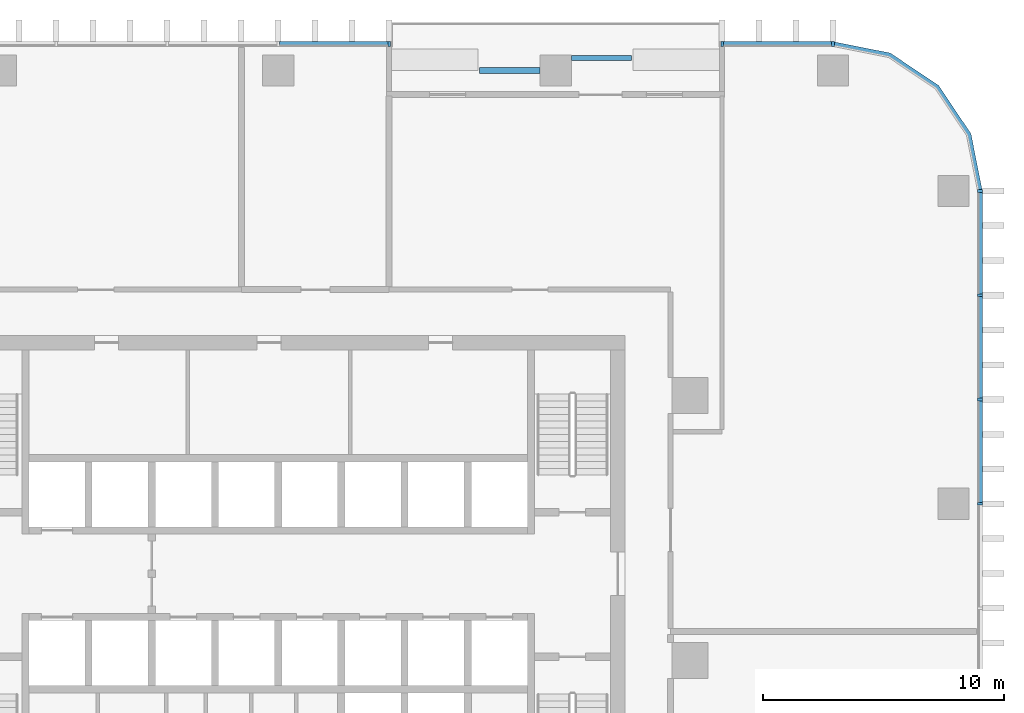
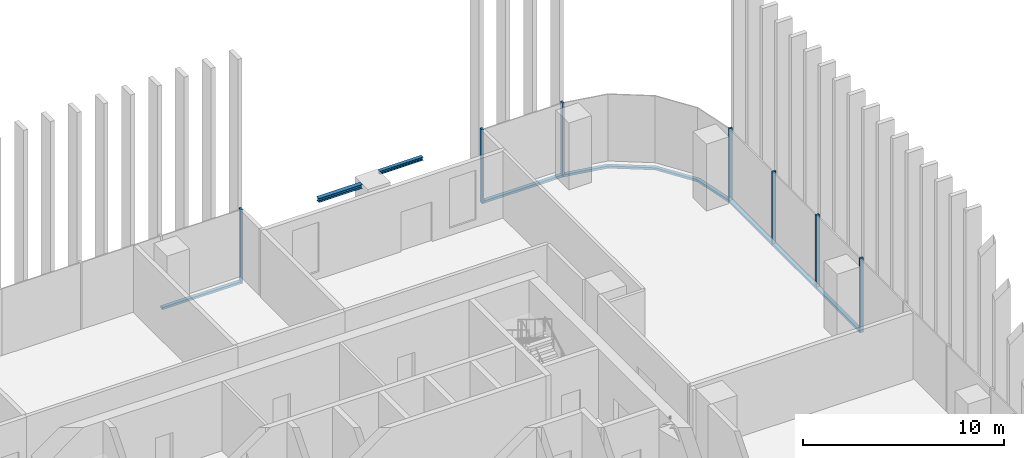
# One storey, part 5 of 17: 13 members, 2 beams, 4 elements without a shape of their own.
"""IFC4 building model written with IfcOpenShell, lengths in metres."""

import ifcopenshell
import ifcopenshell.guid

model = None  # the IFC model being written
_history = None  # IfcOwnerHistory: only IFC2X3 demands one
_inside = {}  # id of a spatial element -> (the spatial element, [elements in it])
_under = {}  # id of a project, library or spatial element -> (it, [spatial elements below it])
_declared = {}  # id of a project -> (the project, [libraries it declares])
_typed = {}  # id of a type object -> (the type object, [elements of that type])
_made_of = {}  # id of a material, layer set ... -> (it, [elements and type objects made of it])


def new_model(schema):
    """Start an empty IFC model of exactly this schema.

    Asked for "IFC4X3", IfcOpenShell would pick the latest addendum, in which some entities
    have other attributes; the version numbers below select the first issue.
    IFC2X3 requires an IfcOwnerHistory on every rooted entity: one is made here for all.
    """
    global model, _history
    if schema == "IFC4X3":
        model = ifcopenshell.file(schema_version=(4, 3, 0, 0))
    else:
        model = ifcopenshell.file(schema=schema)
    _inside.clear()
    _under.clear()
    _declared.clear()
    _typed.clear()
    _made_of.clear()
    _history = None
    if model.schema == "IFC2X3":
        org = make("IfcOrganization", Name="unknown")
        user = make(
            "IfcPersonAndOrganization",
            ThePerson=make("IfcPerson", FamilyName="unknown"),
            TheOrganization=org,
        )
        app = make(
            "IfcApplication",
            ApplicationDeveloper=org,
            Version="unknown",
            ApplicationFullName="unknown",
            ApplicationIdentifier="unknown",
        )
        _history = make(
            "IfcOwnerHistory",
            OwningUser=user,
            OwningApplication=app,
            ChangeAction="ADDED",
            CreationDate=0,
        )
    return model


def make(cls, **values):
    """One entity of the class cls with the attributes given. An attribute that is None is left unset."""
    return model.create_entity(
        cls, **{name: value for name, value in values.items() if value is not None}
    )


def rooted(cls, **values):
    """An entity with a GlobalId (a new one), such as an element, a storey or a relation."""
    return make(cls, GlobalId=ifcopenshell.guid.new(), OwnerHistory=_history, **values)


def si_unit(unit_type, name, prefix=None):
    """IfcSIUnit, for example si_unit("LENGTHUNIT", "METRE", prefix="MILLI")."""
    return make("IfcSIUnit", UnitType=unit_type, Prefix=prefix, Name=name)


def assignment(units):
    """IfcUnitAssignment: the units of a project."""
    return None if units is None else make("IfcUnitAssignment", Units=units)


def point(xyz):
    """IfcCartesianPoint."""
    return None if xyz is None else make("IfcCartesianPoint", Coordinates=xyz)


def direction(xyz):
    """IfcDirection."""
    return None if xyz is None else make("IfcDirection", DirectionRatios=xyz)


def frame(location, z_axis=None, x_axis=None):
    """IfcAxis2Placement3D, a coordinate frame: its origin and axes. An axis left out is left unset."""
    return make(
        "IfcAxis2Placement3D",
        Location=point(location),
        Axis=direction(z_axis),
        RefDirection=direction(x_axis),
    )


def frame_2d(location, x_axis=None):
    """IfcAxis2Placement2D, a coordinate frame in the plane: its origin and x axis."""
    return make(
        "IfcAxis2Placement2D", Location=point(location), RefDirection=direction(x_axis)
    )


def origin():
    """The frame at (0, 0, 0) with its axes left unset."""
    return frame((0.0, 0.0, 0.0))


def origin_2d():
    """The frame at (0, 0) in the plane with its x axis left unset."""
    return frame_2d((0.0, 0.0))


def place(relative_to, where):
    """IfcLocalPlacement: puts the frame where relative to a parent placement (None: the world)."""
    return make(
        "IfcLocalPlacement", PlacementRelTo=relative_to, RelativePlacement=where
    )


def context(
    kind, dimensions, precision=None, world=None, true_north=None, identifier=None
):
    """IfcGeometricRepresentationContext, for example the 3D "Model" context."""
    return make(
        "IfcGeometricRepresentationContext",
        ContextIdentifier=identifier,
        ContextType=kind,
        CoordinateSpaceDimension=dimensions,
        Precision=precision,
        WorldCoordinateSystem=world,
        TrueNorth=true_north,
    )


def subcontext(parent, identifier, kind, view, scale=None):
    """IfcGeometricRepresentationSubContext, for example "Body" below "Model"."""
    return make(
        "IfcGeometricRepresentationSubContext",
        ContextIdentifier=identifier,
        ContextType=kind,
        ParentContext=parent,
        TargetScale=scale,
        TargetView=view,
    )


def project(units=None, contexts=None):
    """IfcProject with its units and contexts."""
    return rooted(
        "IfcProject",
        Name="project",
        RepresentationContexts=contexts,
        UnitsInContext=assignment(units),
    )


def spatial(cls, under=None, at=None, **own):
    """A site, building, storey or space (cls), placed at a placement, below another one or the project."""
    s = rooted(cls, ObjectPlacement=at, **own)
    if under is not None:
        _under.setdefault(under.id(), (under, []))[1].append(s)
    return s


def polyline(points):
    """IfcPolyline through the points."""
    return make("IfcPolyline", Points=[point(p) for p in points])


def profile(cls, at=None, kind="AREA", **sizes):
    """A parametric profile (cls). Its sizes go by their IFC names, for example OverallWidth=200.0."""
    return make(cls, ProfileType=kind, Position=at, **sizes)


def rectangle(**sizes):
    """IfcRectangleProfileDef."""
    return profile("IfcRectangleProfileDef", **sizes)


def i_section(**sizes):
    """IfcIShapeProfileDef."""
    return profile("IfcIShapeProfileDef", **sizes)


def outline(outer, holes=None, kind="AREA"):
    """IfcArbitraryClosedProfileDef: a profile drawn as a closed curve; with holes, ...WithVoids."""
    if holes is None:
        return make("IfcArbitraryClosedProfileDef", ProfileType=kind, OuterCurve=outer)
    return make(
        "IfcArbitraryProfileDefWithVoids",
        ProfileType=kind,
        OuterCurve=outer,
        InnerCurves=holes,
    )


def extrude(swept, where, along, depth):
    """IfcExtrudedAreaSolid: the profile swept, set in the frame where, extruded along a direction by depth."""
    return make(
        "IfcExtrudedAreaSolid",
        SweptArea=swept,
        Position=where,
        ExtrudedDirection=direction(along),
        Depth=depth,
    )


def shape(context_of_items, identifier, shape_type, items):
    """IfcShapeRepresentation: the items that make up one representation, for example the "Body"."""
    return make(
        "IfcShapeRepresentation",
        ContextOfItems=context_of_items,
        RepresentationIdentifier=identifier,
        RepresentationType=shape_type,
        Items=items,
    )


def material(Name=None, Category=None):
    """IfcMaterial."""
    return make("IfcMaterial", Name=Name, Category=Category)


def material_profile(
    of_material, cross_section, Name=None, Category=None, Priority=None
):
    """IfcMaterialProfile: a cross section and its material."""
    return make(
        "IfcMaterialProfile",
        Name=Name,
        Material=of_material,
        Profile=cross_section,
        Priority=Priority,
        Category=Category,
    )


def profile_set(profiles, Name=None, composite=None):
    """IfcMaterialProfileSet."""
    return make(
        "IfcMaterialProfileSet",
        Name=Name,
        MaterialProfiles=profiles,
        CompositeProfile=composite,
    )


def made_of(thing, what):
    """Note that an element or type object is made of a material, layer set ...; save() writes the relation."""
    if what is not None:
        _made_of.setdefault(what.id(), (what, []))[1].append(thing)
    return thing


def type_object(cls, material=None, **own):
    """A type object (cls), such as IfcWallType, which elements share."""
    return made_of(rooted(cls, **own), material)


def element(
    cls,
    number,
    at=None,
    inside=None,
    cuts=None,
    type_object=None,
    material=None,
    context=None,
    identifier="Body",
    shape_type=None,
    held_by="IfcProductDefinitionShape",
    body=None,
    shapes=None,
    **own,
):
    """One element of the class cls, such as IfcWall. Its Tag is "e" and its number.

    at: its placement. inside: the storey or other place that contains it. cuts: it is an
    opening in that element (IfcRelVoidsElement). A single representation is given by context,
    identifier, shape_type and body (its items); several are given by shapes. held_by: the class
    of the entity that holds the representations. save() writes the other relations.
    """
    e = rooted(cls, Tag="e%d" % number, ObjectPlacement=at, **own)
    if body is not None:
        shapes = [shape(context, identifier, shape_type, body)]
    if shapes is not None:
        e.Representation = make(held_by, Representations=shapes)
    if inside is not None:
        _inside.setdefault(inside.id(), (inside, []))[1].append(e)
    if cuts is not None:
        rooted(
            "IfcRelVoidsElement", RelatingBuildingElement=cuts, RelatedOpeningElement=e
        )
    if type_object is not None:
        _typed.setdefault(type_object.id(), (type_object, []))[1].append(e)
    return made_of(e, material)


def aggregate(whole, parts):
    """IfcRelAggregates: a whole, such as a stair, and the parts it consists of."""
    return rooted("IfcRelAggregates", RelatingObject=whole, RelatedObjects=parts)


def save(model, path):
    """Write the relations noted so far, then the file.

    IfcRelAggregates (storeys below a building ...), IfcRelContainedInSpatialStructure (elements
    in a storey), IfcRelDefinesByType, IfcRelAssociatesMaterial and IfcRelDeclares: one each for
    every whole, place, type object, material and project.
    """
    for whole, parts in _under.values():
        aggregate(whole, parts)
    for where, things in _inside.values():
        rooted(
            "IfcRelContainedInSpatialStructure",
            RelatedElements=things,
            RelatingStructure=where,
        )
    for kind, things in _typed.values():
        rooted("IfcRelDefinesByType", RelatedObjects=things, RelatingType=kind)
    for what, things in _made_of.values():
        rooted("IfcRelAssociatesMaterial", RelatedObjects=things, RelatingMaterial=what)
    for by, libraries in _declared.values():
        rooted("IfcRelDeclares", RelatingContext=by, RelatedDefinitions=libraries)
    model.write(path)


model = new_model("IFC4")

# Units and contexts
model_context = context("Model", 3, precision=1e-05, world=origin(), true_north=direction((0.0, 1.0)))
body_context = subcontext(model_context, "Body", "Model", "MODEL_VIEW")
ifc_project = project(units=[si_unit("LENGTHUNIT", "METRE"), si_unit("AREAUNIT", "SQUARE_METRE"), si_unit("VOLUMEUNIT", "CUBIC_METRE"), si_unit("PLANEANGLEUNIT", "RADIAN"), si_unit("MASSUNIT", "GRAM", prefix="KILO")], contexts=[model_context])

# Site, building, storey
site_placement = place(None, origin())
site = spatial("IfcSite", under=ifc_project, at=site_placement, CompositionType="ELEMENT")
building_placement = place(site_placement, origin())
building = spatial("IfcBuilding", under=site, at=building_placement, Name="Mopane Tessera Tower", CompositionType="ELEMENT")
storey_placement = place(building_placement, frame((0.0, 0.0, 108.10009765625)))
storey = spatial("IfcBuildingStorey", under=building, at=storey_placement, Name="L21", CompositionType="ELEMENT", Elevation=108.10009765625)

# Curtain wall, members
ifc_material_1 = material(Name="Aluminium frame", Category="aluminium")
curtain_wall_type = type_object("IfcCurtainWallType", Name="Lower tower unitised wall", PredefinedType="NOTDEFINED", material=ifc_material_1)
curtain_wall_1_placement = place(storey_placement, origin())
curtain_wall_1 = element("IfcCurtainWall", 1, at=curtain_wall_1_placement, inside=storey, type_object=curtain_wall_type, Name="e:cw:L21:E:0", PredefinedType="NOTDEFINED")
ifc_material_2 = material(Name="Aluminium frame", Category="aluminium")
ifc_material_profile_1 = material_profile(ifc_material_2, rectangle(XDim=0.110107421875, YDim=0.199951171875, at=origin_2d()))
ifc_profile_set_1 = profile_set([ifc_material_profile_1], Name="Aluminium frame")
member_type_1 = type_object("IfcMemberType", Name="Aluminium mullion 110 x 200", PredefinedType="MULLION", material=ifc_profile_set_1)
member_1_placement = place(storey_placement, frame((29.14990234375, 6.5, -0.4501953125), z_axis=(0.0, 0.0, 1.0), x_axis=(0.0, 1.0, 0.0)))
member_1 = element("IfcMember", 2, at=member_1_placement, type_object=member_type_1, Name="e:cw:L21:E:0:mu6", PredefinedType="MULLION", context=body_context, shape_type="SweptSolid", body=[
    extrude(rectangle(XDim=0.110107421875, YDim=0.199951171875, at=origin_2d()), origin(), (0.0, 0.0, 1.0), 4.5),
])
member_2_placement = place(storey_placement, frame((29.14990234375, 10.833251953125, -0.4501953125), z_axis=(0.0, 0.0, 1.0), x_axis=(0.0, 1.0, 0.0)))
member_2 = element("IfcMember", 3, at=member_2_placement, type_object=member_type_1, Name="e:cw:L21:E:0:mu7", PredefinedType="MULLION", context=body_context, shape_type="SweptSolid", body=[
    extrude(rectangle(XDim=0.110107421875, YDim=0.199951171875, at=origin_2d()), origin(), (0.0, 0.0, 1.0), 4.5),
])
member_3_placement = place(storey_placement, frame((29.14990234375, 15.166748046875, -0.4501953125), z_axis=(0.0, 0.0, 1.0), x_axis=(0.0, 1.0, 0.0)))
member_3 = element("IfcMember", 4, at=member_3_placement, type_object=member_type_1, Name="e:cw:L21:E:0:mu8", PredefinedType="MULLION", context=body_context, shape_type="SweptSolid", body=[
    extrude(rectangle(XDim=0.110107421875, YDim=0.199951171875, at=origin_2d()), origin(), (0.0, 0.0, 1.0), 4.5),
])
member_4_placement = place(storey_placement, frame((29.14990234375, 19.5, -0.4501953125), z_axis=(0.0, 0.0, 1.0), x_axis=(0.0, 1.0, 0.0)))
member_4 = element("IfcMember", 5, at=member_4_placement, type_object=member_type_1, Name="e:cw:L21:E:0:mu9", PredefinedType="MULLION", context=body_context, shape_type="SweptSolid", body=[
    extrude(rectangle(XDim=0.110107421875, YDim=0.199951171875, at=origin_2d()), origin(), (0.0, 0.0, 1.0), 4.5),
])

curtain_wall_2_placement = place(storey_placement, origin())
curtain_wall_2 = element("IfcCurtainWall", 6, at=curtain_wall_2_placement, inside=storey, type_object=curtain_wall_type, Name="e:cw:L21:N:0", PredefinedType="NOTDEFINED")
member_5_placement = place(storey_placement, frame((23.050048828125, 25.60009765625, -0.4501953125), z_axis=(0.0, 0.0, 1.0), x_axis=(-1.0, 0.0, 0.0)))
member_5 = element("IfcMember", 7, at=member_5_placement, type_object=member_type_1, Name="e:cw:L21:N:0:mu0", PredefinedType="MULLION", context=body_context, shape_type="SweptSolid", body=[
    extrude(rectangle(XDim=0.110107421875, YDim=0.199951171875, at=origin_2d()), origin(), (0.0, 0.0, 1.0), 4.5),
])
member_6_placement = place(storey_placement, frame((18.43994140625, 25.60009765625, -0.4501953125), z_axis=(0.0, 0.0, 1.0), x_axis=(-1.0, 0.0, 0.0)))
member_6 = element("IfcMember", 8, at=member_6_placement, type_object=member_type_1, Name="e:cw:L21:N:0:mu1", PredefinedType="MULLION", context=body_context, shape_type="SweptSolid", body=[
    extrude(rectangle(XDim=0.110107421875, YDim=0.199951171875, at=origin_2d()), origin(), (0.0, 0.0, 1.0), 4.5),
])

# Curtain wall, member
curtain_wall_3_placement = place(storey_placement, origin())
curtain_wall_3 = element("IfcCurtainWall", 9, at=curtain_wall_3_placement, inside=storey, type_object=curtain_wall_type, Name="e:cw:L21:N:4", PredefinedType="NOTDEFINED")
member_7_placement = place(storey_placement, frame((4.610107421875, 25.60009765625, -0.4501953125), z_axis=(0.0, 0.0, 1.0), x_axis=(-1.0, 0.0, 0.0)))
member_7 = element("IfcMember", 10, at=member_7_placement, type_object=member_type_1, Name="e:cw:L21:N:4:mu4", PredefinedType="MULLION", context=body_context, shape_type="SweptSolid", body=[
    extrude(rectangle(XDim=0.110107421875, YDim=0.199951171875, at=origin_2d()), origin(), (0.0, 0.0, 1.0), 4.5),
])

# Member
ifc_material_3 = material(Name="Aluminium frame", Category="aluminium")
ifc_material_profile_2 = material_profile(ifc_material_3, rectangle(XDim=0.199951171875, YDim=0.139892578125, at=origin_2d()))
ifc_profile_set_2 = profile_set([ifc_material_profile_2], Name="Aluminium frame")
member_type_2 = type_object("IfcMemberType", Name="Aluminium transom 200 x 140", PredefinedType="USERDEFINED", material=ifc_profile_set_2)
member_8_placement = place(storey_placement, frame((29.14990234375, 6.554931640625, -0.380126953125), z_axis=(0.0, 1.0, 0.0), x_axis=(-1.0, 0.0, 0.0)))
member_8 = element("IfcMember", 11, at=member_8_placement, type_object=member_type_2, Name="e:cw:L21:E:0:tr6", ObjectType="TRANSOM", PredefinedType="USERDEFINED", context=body_context, shape_type="SweptSolid", body=[
    extrude(rectangle(XDim=0.199951171875, YDim=0.139892578125, at=origin_2d()), origin(), (0.0, 0.0, 1.0), 4.223388671875),
])

member_9_placement = place(storey_placement, frame((29.14990234375, 10.888427734375, -0.380126953125), z_axis=(0.0, 1.0, 0.0), x_axis=(-1.0, 0.0, 0.0)))
member_9 = element("IfcMember", 12, at=member_9_placement, type_object=member_type_2, Name="e:cw:L21:E:0:tr7", ObjectType="TRANSOM", PredefinedType="USERDEFINED", context=body_context, shape_type="SweptSolid", body=[
    extrude(rectangle(XDim=0.199951171875, YDim=0.139892578125, at=origin_2d()), origin(), (0.0, 0.0, 1.0), 4.22314453125),
])

member_10_placement = place(storey_placement, frame((29.14990234375, 15.2216796875, -0.380126953125), z_axis=(0.0, 1.0, 0.0), x_axis=(-1.0, 0.0, 0.0)))
member_10 = element("IfcMember", 13, at=member_10_placement, type_object=member_type_2, Name="e:cw:L21:E:0:tr8", ObjectType="TRANSOM", PredefinedType="USERDEFINED", context=body_context, shape_type="SweptSolid", body=[
    extrude(rectangle(XDim=0.199951171875, YDim=0.139892578125, at=origin_2d()), origin(), (0.0, 0.0, 1.0), 4.223388671875),
])

aggregate(curtain_wall_1, [member_1, member_2, member_3, member_4, member_8, member_9, member_10])

# Curtain wall, member
curtain_wall_4_placement = place(storey_placement, origin())
curtain_wall_4 = element("IfcCurtainWall", 14, at=curtain_wall_4_placement, inside=storey, type_object=curtain_wall_type, Name="e:cw:L21:CE", PredefinedType="NOTDEFINED")
member_11_placement = place(storey_placement, frame((0.0, 0.0, -0.4501953125)))
member_11 = element("IfcMember", 15, at=member_11_placement, type_object=member_type_2, Name="e:cw:L21:CE:tr", ObjectType="TRANSOM", PredefinedType="USERDEFINED", context=body_context, shape_type="SweptSolid", body=[
    extrude(outline(polyline([(29.050048828125, 19.5), (28.59326171875, 21.796142578125), (27.292724609375, 23.74267578125), (25.34619140625, 25.043212890625), (23.050048828125, 25.5), (23.050048828125, 25.699951171875), (25.422607421875, 25.22802734375), (27.43408203125, 23.884033203125), (28.778076171875, 21.87255859375), (29.25, 19.5), (29.050048828125, 19.5)])), origin(), (0.0, 0.0, 1.0), 0.14013671875),
])
aggregate(curtain_wall_4, [member_11])

# Member
member_12_placement = place(storey_placement, frame((22.9951171875, 25.60009765625, -0.380126953125), z_axis=(-1.0, 0.0, 0.0), x_axis=(0.0, -1.0, 0.0)))
member_12 = element("IfcMember", 16, at=member_12_placement, type_object=member_type_2, Name="e:cw:L21:N:0:tr0", ObjectType="TRANSOM", PredefinedType="USERDEFINED", context=body_context, shape_type="SweptSolid", body=[
    extrude(rectangle(XDim=0.199951171875, YDim=0.139892578125, at=origin_2d()), origin(), (0.0, 0.0, 1.0), 4.5),
])

aggregate(curtain_wall_2, [member_5, member_6, member_12])

member_13_placement = place(storey_placement, frame((4.554931640625, 25.60009765625, -0.380126953125), z_axis=(-1.0, 0.0, 0.0), x_axis=(0.0, -1.0, 0.0)))
member_13 = element("IfcMember", 17, at=member_13_placement, type_object=member_type_2, Name="e:cw:L21:N:4:tr4", ObjectType="TRANSOM", PredefinedType="USERDEFINED", context=body_context, shape_type="SweptSolid", body=[
    extrude(rectangle(XDim=0.199951171875, YDim=0.139892578125, at=origin_2d()), origin(), (0.0, 0.0, 1.0), 4.5),
])

aggregate(curtain_wall_3, [member_7, member_13])

# Beams
ifc_material_4 = material(Name="Structural steel S460", Category="steel")
ifc_material_profile_3 = material_profile(ifc_material_4, i_section(OverallWidth=0.239990234375, OverallDepth=0.239990234375, WebThickness=0.010009765625, FlangeThickness=0.01708984375, FilletRadius=0.02099609375, at=origin_2d()))
ifc_profile_set_3 = profile_set([ifc_material_profile_3], Name="Structural steel S460")
beam_type_1 = type_object("IfcBeamType", Name="Terrace spandrel beam HE 240 B", PredefinedType="SPANDREL", material=ifc_profile_set_3)
beam_1_placement = place(storey_placement, frame((10.871826171875, 24.5, 3.929931640625), z_axis=(-1.0, 0.0, 0.0), x_axis=(0.0, -1.0, 0.0)))
element("IfcBeam", 18, at=beam_1_placement, inside=storey, type_object=beam_type_1, Name="Terrace spandrel beam N1 L22", PredefinedType="SPANDREL", context=body_context, shape_type="SweptSolid", body=[
    extrude(i_section(OverallWidth=0.239990234375, OverallDepth=0.239990234375, WebThickness=0.010009765625, FlangeThickness=0.01708984375, FilletRadius=0.02099609375, at=origin_2d()), origin(), (0.0, 0.0, 1.0), 2.5),
])
ifc_material_5 = material(Name="Structural steel S460", Category="steel")
ifc_material_profile_4 = material_profile(ifc_material_5, i_section(OverallWidth=0.199951171875, OverallDepth=0.199951171875, WebThickness=0.009033203125, FlangeThickness=0.014892578125, FilletRadius=0.01806640625, at=origin_2d()))
ifc_profile_set_4 = profile_set([ifc_material_profile_4], Name="Structural steel S460")
beam_type_2 = type_object("IfcBeamType", Name="Terrace trimmer beam HE 200 B", PredefinedType="BEAM", material=ifc_profile_set_4)
beam_2_placement = place(storey_placement, frame((12.177978515625, 25.02001953125, 3.949951171875), z_axis=(1.0, 0.0, 0.0), x_axis=(0.0, 1.0, 0.0)))
element("IfcBeam", 19, at=beam_2_placement, inside=storey, type_object=beam_type_2, Name="Terrace trimmer beam N1 L22", PredefinedType="BEAM", context=body_context, shape_type="SweptSolid", body=[
    extrude(i_section(OverallWidth=0.199951171875, OverallDepth=0.199951171875, WebThickness=0.009033203125, FlangeThickness=0.014892578125, FilletRadius=0.01806640625, at=origin_2d()), origin(), (0.0, 0.0, 1.0), 2.5),
])

save(model, "model.ifc")
